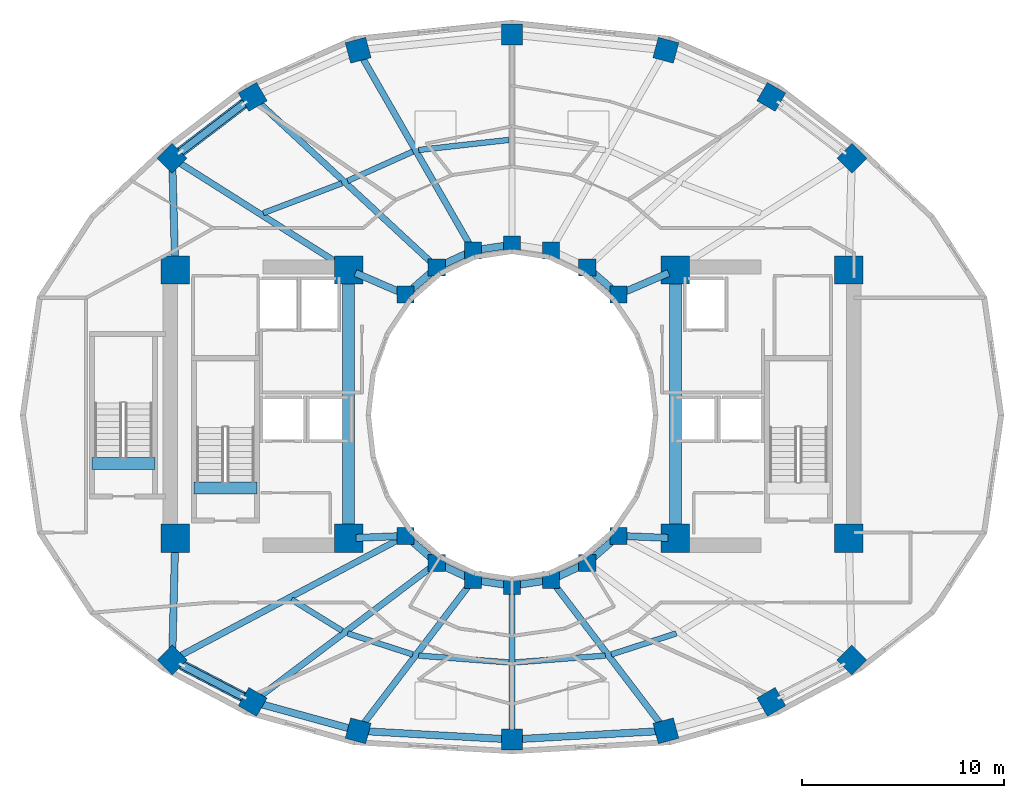
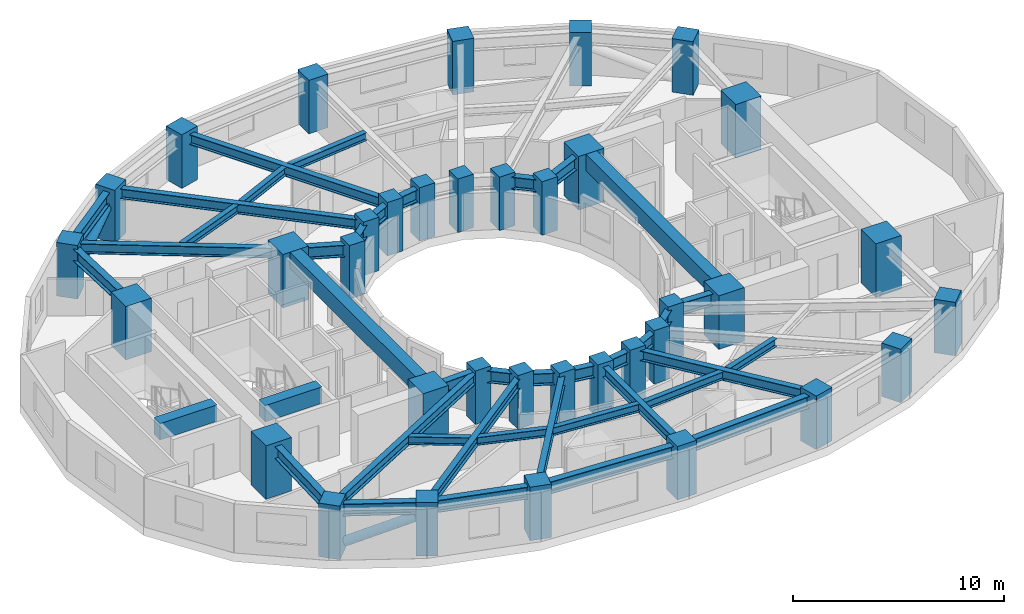
# One storey, part 1 of 9: 41 beams, 36 columns, 2 members.
"""IFC4 building model written with IfcOpenShell, lengths in metres."""

from ifc_helpers import new_model, si_unit, direction, frame, origin, origin_2d, place, context, subcontext, project, spatial, rectangle, hollow_circle, i_section, extrude, material, material_profile, profile_set, type_object, element, save


model = new_model("IFC4")

# Units and contexts
model_context = context("Model", 3, precision=1e-05, world=origin(), true_north=direction((0.0, 1.0)))
body_context = subcontext(model_context, "Body", "Model", "MODEL_VIEW")
ifc_project = project(units=[si_unit("LENGTHUNIT", "METRE"), si_unit("AREAUNIT", "SQUARE_METRE"), si_unit("VOLUMEUNIT", "CUBIC_METRE"), si_unit("PLANEANGLEUNIT", "RADIAN"), si_unit("MASSUNIT", "GRAM", prefix="KILO")], contexts=[model_context])

# Site, building, storey
site_placement = place(None, origin())
site = spatial("IfcSite", under=ifc_project, at=site_placement, CompositionType="ELEMENT")
building_placement = place(site_placement, origin())
building = spatial("IfcBuilding", under=site, at=building_placement, Name="Solvane Sanctuary Tower", CompositionType="ELEMENT")
storey_placement = place(building_placement, frame((0.0, 0.0, 113.5)))
storey = spatial("IfcBuildingStorey", under=building, at=storey_placement, Name="L34", CompositionType="ELEMENT", Elevation=113.5)

# Columns
ifc_material_1 = material(Name="Concrete C70/85", Category="concrete")
ifc_material_profile_1 = material_profile(ifc_material_1, rectangle(XDim=1.39990234375, YDim=1.39990234375, at=origin_2d()), Name="RC1400X1400")
ifc_profile_set_1 = profile_set([ifc_material_profile_1], Name="Concrete C70/85")
column_type_1 = type_object("IfcColumnType", Name="Column C-POD-INT RC1400X1400", PredefinedType="COLUMN", material=ifc_profile_set_1)
for number, where, z_axis, x_axis, name in (
    (1, (15.300048828125, 16.89990234375, 0.0), (0.0, 0.0, 1.0), (1.0, 0.0, 0.0), "L34 Core Corner Column CW1"),
    (2, (23.89990234375, 16.89990234375, 0.0), (0.0, 0.0, 1.0), (1.0, 0.0, 0.0), "L34 Core Corner Column CW2"),
    (3, (23.89990234375, 30.199951171875, 0.0), (0.0, 0.0, 1.0), (1.0, 0.0, 0.0), "L34 Core Corner Column CW3"),
    (4, (15.300048828125, 30.199951171875, 0.0), (0.0, 0.0, 1.0), (1.0, 0.0, 0.0), "L34 Core Corner Column CW4"),
    (5, (40.10009765625, 16.89990234375, 0.0), (0.0, 0.0, 1.0), (1.0, 0.0, 0.0), "L34 Core Corner Column CE1"),
    (6, (48.699951171875, 16.89990234375, 0.0), (0.0, 0.0, 1.0), (1.0, 0.0, 0.0), "L34 Core Corner Column CE2"),
    (7, (48.699951171875, 30.199951171875, 0.0), (0.0, 0.0, 1.0), (1.0, 0.0, 0.0), "L34 Core Corner Column CE3"),
    (8, (40.10009765625, 30.199951171875, 0.0), (0.0, 0.0, 1.0), (1.0, 0.0, 0.0), "L34 Core Corner Column CE4"),
):
    element("IfcColumn", number, at=place(storey_placement, frame(where, z_axis=z_axis, x_axis=x_axis)), inside=storey, type_object=column_type_1, Name=name, PredefinedType="COLUMN", context=body_context, shape_type="SweptSolid", body=[
        extrude(rectangle(XDim=1.39990234375, YDim=1.39990234375, at=origin_2d()), origin(), (0.0, 0.0, 1.0), 3.10009765625),
    ])
ifc_material_2 = material(Name="Concrete C60/75", Category="concrete")
ifc_material_profile_2 = material_profile(ifc_material_2, rectangle(XDim=0.85009765625, YDim=0.85009765625, at=origin_2d()), Name="RC850X850")
ifc_profile_set_2 = profile_set([ifc_material_profile_2], Name="Concrete C60/75")
column_type_2 = type_object("IfcColumnType", Name="Column C-RING-Z2 RC850X850", PredefinedType="COLUMN", material=ifc_profile_set_2)
for number, where, z_axis, x_axis, name in (
    (9, (37.27490234375, 28.982177734375, 0.0), (0.0, 0.0, 1.0), (1.0, 0.0, 0.0), "L34 Inner Light-Well Ring Column IC01"),
    (10, (35.72998046875, 30.32666015625, 0.0), (0.0, 0.0, 1.0), (1.0, 0.0, 0.0), "L34 Inner Light-Well Ring Column IC02"),
    (11, (33.930908203125, 31.171630859375, 0.0), (0.0, 0.0, 1.0), (1.0, 0.0, 0.0), "L34 Inner Light-Well Ring Column IC03"),
    (12, (32.0, 31.4599609375, 0.0), (0.0, 0.0, 1.0), (1.0, 0.0, 0.0), "L34 Inner Light-Well Ring Column IC04"),
    (13, (30.069091796875, 31.171630859375, 0.0), (0.0, 0.0, 1.0), (1.0, 0.0, 0.0), "L34 Inner Light-Well Ring Column IC05"),
    (14, (28.27001953125, 30.32666015625, 0.0), (0.0, 0.0, 1.0), (1.0, 0.0, 0.0), "L34 Inner Light-Well Ring Column IC06"),
    (15, (26.72509765625, 28.982177734375, 0.0), (0.0, 0.0, 1.0), (1.0, 0.0, 0.0), "L34 Inner Light-Well Ring Column IC07"),
    (16, (26.72509765625, 17.017822265625, 0.0), (0.0, 0.0, 1.0), (1.0, 0.0, 0.0), "L34 Inner Light-Well Ring Column IC08"),
    (17, (28.27001953125, 15.67333984375, 0.0), (0.0, 0.0, 1.0), (1.0, 0.0, 0.0), "L34 Inner Light-Well Ring Column IC09"),
    (18, (30.069091796875, 14.828369140625, 0.0), (0.0, 0.0, 1.0), (1.0, 0.0, 0.0), "L34 Inner Light-Well Ring Column IC10"),
    (19, (32.0, 14.5400390625, 0.0), (0.0, 0.0, 1.0), (1.0, 0.0, 0.0), "L34 Inner Light-Well Ring Column IC11"),
    (20, (33.930908203125, 14.828369140625, 0.0), (0.0, 0.0, 1.0), (1.0, 0.0, 0.0), "L34 Inner Light-Well Ring Column IC12"),
    (21, (35.72998046875, 15.67333984375, 0.0), (0.0, 0.0, 1.0), (1.0, 0.0, 0.0), "L34 Inner Light-Well Ring Column IC13"),
    (22, (37.27490234375, 17.017822265625, 0.0), (0.0, 0.0, 1.0), (1.0, 0.0, 0.0), "L34 Inner Light-Well Ring Column IC14"),
):
    element("IfcColumn", number, at=place(storey_placement, frame(where, z_axis=z_axis, x_axis=x_axis)), inside=storey, type_object=column_type_2, Name=name, PredefinedType="COLUMN", context=body_context, shape_type="SweptSolid", body=[
        extrude(rectangle(XDim=0.85009765625, YDim=0.85009765625, at=origin_2d()), origin(), (0.0, 0.0, 1.0), 3.10009765625),
    ])
ifc_material_profile_3 = material_profile(ifc_material_2, rectangle(XDim=1.050048828125, YDim=1.050048828125, at=origin_2d()), Name="RC1050X1050")
ifc_profile_set_3 = profile_set([ifc_material_profile_3], Name="Concrete C60/75")
column_type_3 = type_object("IfcColumnType", Name="Column C-TUBE-Z2 RC1050X1050", PredefinedType="COLUMN", material=ifc_profile_set_3)
for number, where, z_axis, x_axis, name in (
    (23, (48.85302734375, 35.742919921875, 0.0), (0.0, 0.0, 1.0), (0.707106781187, 0.707106781187, 0.0), "L34 Perimeter Tube Column TC01"),
    (24, (44.8583984375, 38.7861328125, 0.0), (0.0, 0.0, 1.0), (0.5, 0.866025403784, 0.0), "L34 Perimeter Tube Column TC02"),
    (25, (39.62939453125, 41.10009765625, 0.0), (0.0, 0.0, 1.0), (0.258819045103, 0.965925826289, 0.0), "L34 Perimeter Tube Column TC03"),
    (26, (32.0, 41.8798828125, 0.0), (0.0, 0.0, 1.0), (0.0, 1.0, 0.0), "L34 Perimeter Tube Column TC04"),
    (27, (24.37060546875, 41.10009765625, 0.0), (0.0, 0.0, 1.0), (-0.258819045103, 0.965925826289, 0.0), "L34 Perimeter Tube Column TC05"),
    (28, (19.1416015625, 38.7861328125, 0.0), (0.0, 0.0, 1.0), (-0.5, 0.866025403784, 0.0), "L34 Perimeter Tube Column TC06"),
    (29, (15.14697265625, 35.742919921875, 0.0), (0.0, 0.0, 1.0), (-0.707106781187, 0.707106781187, 0.0), "L34 Perimeter Tube Column TC07"),
    (30, (15.14697265625, 10.86181640625, 0.0), (0.0, 0.0, 1.0), (-0.707106781187, -0.707106781187, 0.0), "L34 Perimeter Tube Column TC08"),
    (31, (19.1416015625, 8.782470703125, 0.0), (0.0, 0.0, 1.0), (-0.5, -0.866025403784, 0.0), "L34 Perimeter Tube Column TC09"),
    (32, (24.37060546875, 7.347900390625, 0.0), (0.0, 0.0, 1.0), (-0.258819045103, -0.965925826289, 0.0), "L34 Perimeter Tube Column TC10"),
    (33, (32.0, 6.919921875, 0.0), (0.0, 0.0, 1.0), (0.0, -1.0, 0.0), "L34 Perimeter Tube Column TC11"),
    (34, (39.62939453125, 7.347900390625, 0.0), (0.0, 0.0, 1.0), (0.258819045103, -0.965925826289, 0.0), "L34 Perimeter Tube Column TC12"),
    (35, (44.8583984375, 8.782470703125, 0.0), (0.0, 0.0, 1.0), (0.5, -0.866025403784, 0.0), "L34 Perimeter Tube Column TC13"),
    (36, (48.85302734375, 10.86181640625, 0.0), (0.0, 0.0, 1.0), (0.707106781187, -0.707106781187, 0.0), "L34 Perimeter Tube Column TC14"),
):
    element("IfcColumn", number, at=place(storey_placement, frame(where, z_axis=z_axis, x_axis=x_axis)), inside=storey, type_object=column_type_3, Name=name, PredefinedType="COLUMN", context=body_context, shape_type="SweptSolid", body=[
        extrude(rectangle(XDim=1.050048828125, YDim=1.050048828125, at=origin_2d()), origin(), (0.0, 0.0, 1.0), 3.10009765625),
    ])

# Beams
ifc_material_profile_4 = material_profile(ifc_material_1, rectangle(XDim=0.60009765625, YDim=0.949951171875, at=origin_2d()), Name="RC600X950")
ifc_profile_set_4 = profile_set([ifc_material_profile_4], Name="Concrete C70/85")
beam_type_1 = type_object("IfcBeamType", Name="Beam B-COUPLE RC600X950", PredefinedType="LINTEL", material=ifc_profile_set_4)
for number, where, z_axis, x_axis, name in (
    (37, (23.89990234375, 17.35009765625, 2.625), (0.0, 1.0, 0.0), (-1.0, 0.0, 0.0), "L34 West Core Coupling Lintel"),
    (38, (40.10009765625, 17.35009765625, 2.625), (0.0, 1.0, 0.0), (-1.0, 0.0, 0.0), "L34 East Core Coupling Lintel"),
):
    element("IfcBeam", number, at=place(storey_placement, frame(where, z_axis=z_axis, x_axis=x_axis)), inside=storey, type_object=beam_type_1, Name=name, PredefinedType="LINTEL", context=body_context, shape_type="SweptSolid", body=[
        extrude(rectangle(XDim=0.60009765625, YDim=0.949951171875, at=origin_2d()), origin(), (0.0, 0.0, 1.0), 12.39990234375),
    ])
for number, where, z_axis, x_axis, name in (
    (39, (16.22998046875, 19.399169921875, 2.625), (1.0, 0.0, 0.0), (0.0, 1.0, 0.0), "L34 ST-1 Stair Floor Landing Trimmer"),
    (40, (11.169921875, 20.59912109375, 2.625), (1.0, 0.0, 0.0), (0.0, 1.0, 0.0), "L34 ST-3 Stair Floor Landing Trimmer"),
):
    element("IfcBeam", number, at=place(storey_placement, frame(where, z_axis=z_axis, x_axis=x_axis)), inside=storey, type_object=beam_type_1, Name=name, PredefinedType="LINTEL", context=body_context, shape_type="SweptSolid", body=[
        extrude(rectangle(XDim=0.60009765625, YDim=0.949951171875, at=origin_2d()), origin(), (0.0, 0.0, 1.0), 3.1201171875),
    ])
ifc_material_3 = material(Name="Steel ASTM A992 Grade 50", Category="steel")
ifc_material_profile_5 = material_profile(ifc_material_3, i_section(OverallWidth=0.31494140625, OverallDepth=0.575927734375, WebThickness=0.01513671875, FlangeThickness=0.0244140625, FilletRadius=0.014892578125, at=origin_2d()), Name="W21X122")
ifc_profile_set_5 = profile_set([ifc_material_profile_5], Name="Steel ASTM A992 Grade 50")
beam_type_2 = type_object("IfcBeamType", Name="Beam B-RAD-Z2 W21X122", PredefinedType="BEAM", material=ifc_profile_set_5)
beam_1_placement = place(storey_placement, frame((29.9296875, 31.41455078125, 2.590087890625), z_axis=(-0.497792245326, 0.8672963049, 0.0), x_axis=(-0.8672963049, -0.497792245326, 0.0)))
element("IfcBeam", 41, at=beam_1_placement, inside=storey, type_object=beam_type_2, Name="L34 Radial Composite Floor Beam 05", PredefinedType="BEAM", context=body_context, shape_type="SweptSolid", body=[
    extrude(i_section(OverallWidth=0.31494140625, OverallDepth=0.575927734375, WebThickness=0.01513671875, FlangeThickness=0.0244140625, FilletRadius=0.014892578125, at=origin_2d()), origin(), (0.0, 0.0, 1.0), 10.887451171875),
])
beam_2_placement = place(storey_placement, frame((28.064697265625, 30.516845703125, 2.590087890625), z_axis=(-0.733453775248, 0.679739332078, 0.0), x_axis=(-0.679739332078, -0.733453775248, 0.0)))
element("IfcBeam", 42, at=beam_2_placement, inside=storey, type_object=beam_type_2, Name="L34 Radial Composite Floor Beam 06", PredefinedType="BEAM", context=body_context, shape_type="SweptSolid", body=[
    extrude(i_section(OverallWidth=0.31494140625, OverallDepth=0.575927734375, WebThickness=0.01513671875, FlangeThickness=0.0244140625, FilletRadius=0.014892578125, at=origin_2d()), origin(), (0.0, 0.0, 1.0), 11.885498046875),
])
beam_3_placement = place(storey_placement, frame((23.595947265625, 30.392578125, 2.590087890625), z_axis=(-0.844853889678, 0.534997107558, 0.0), x_axis=(-0.534997107558, -0.844853889678, 0.0)))
element("IfcBeam", 43, at=beam_3_placement, inside=storey, type_object=beam_type_2, Name="L34 Radial Composite Floor Beam 07", PredefinedType="BEAM", context=body_context, shape_type="SweptSolid", body=[
    extrude(i_section(OverallWidth=0.31494140625, OverallDepth=0.575927734375, WebThickness=0.01513671875, FlangeThickness=0.0244140625, FilletRadius=0.014892578125, at=origin_2d()), origin(), (0.0, 0.0, 1.0), 9.720458984375),
])
beam_4_placement = place(storey_placement, frame((26.477783203125, 16.886474609375, 2.590087890625), z_axis=(-0.882951984843, -0.469463302572, 0.0), x_axis=(0.469463302572, -0.882951984843, 0.0)))
element("IfcBeam", 44, at=beam_4_placement, inside=storey, type_object=beam_type_2, Name="L34 Radial Composite Floor Beam 08", PredefinedType="BEAM", context=body_context, shape_type="SweptSolid", body=[
    extrude(i_section(OverallWidth=0.31494140625, OverallDepth=0.575927734375, WebThickness=0.01513671875, FlangeThickness=0.0244140625, FilletRadius=0.014892578125, at=origin_2d()), origin(), (0.0, 0.0, 1.0), 12.552734375),
])
beam_5_placement = place(storey_placement, frame((28.04638671875, 15.504638671875, 2.590087890625), z_axis=(-0.798116040134, -0.602503764703, 0.0), x_axis=(0.602503764703, -0.798116040134, 0.0)))
element("IfcBeam", 45, at=beam_5_placement, inside=storey, type_object=beam_type_2, Name="L34 Radial Composite Floor Beam 09", PredefinedType="BEAM", context=body_context, shape_type="SweptSolid", body=[
    extrude(i_section(OverallWidth=0.31494140625, OverallDepth=0.575927734375, WebThickness=0.01513671875, FlangeThickness=0.0244140625, FilletRadius=0.014892578125, at=origin_2d()), origin(), (0.0, 0.0, 1.0), 10.876953125),
])
beam_6_placement = place(storey_placement, frame((29.8994140625, 14.605712890625, 2.590087890625), z_axis=(-0.605972515369, -0.795485581653, 0.0), x_axis=(0.795485581653, -0.605972515369, 0.0)))
element("IfcBeam", 46, at=beam_6_placement, inside=storey, type_object=beam_type_2, Name="L34 Radial Composite Floor Beam 10", PredefinedType="BEAM", context=body_context, shape_type="SweptSolid", body=[
    extrude(i_section(OverallWidth=0.31494140625, OverallDepth=0.575927734375, WebThickness=0.01513671875, FlangeThickness=0.0244140625, FilletRadius=0.014892578125, at=origin_2d()), origin(), (0.0, 0.0, 1.0), 8.84375),
])
beam_7_placement = place(storey_placement, frame((32.0, 14.260009765625, 2.590087890625), z_axis=(0.0, -1.0, 0.0), x_axis=(1.0, 0.0, 0.0)))
element("IfcBeam", 47, at=beam_7_placement, inside=storey, type_object=beam_type_2, Name="L34 Radial Composite Floor Beam 11", PredefinedType="BEAM", context=body_context, shape_type="SweptSolid", body=[
    extrude(i_section(OverallWidth=0.31494140625, OverallDepth=0.575927734375, WebThickness=0.01513671875, FlangeThickness=0.0244140625, FilletRadius=0.014892578125, at=origin_2d()), origin(), (0.0, 0.0, 1.0), 7.06005859375),
])
beam_8_placement = place(storey_placement, frame((34.1005859375, 14.605712890625, 2.590087890625), z_axis=(0.605972515369, -0.795485581653, 0.0), x_axis=(0.795485581653, 0.605972515369, 0.0)))
element("IfcBeam", 48, at=beam_8_placement, inside=storey, type_object=beam_type_2, Name="L34 Radial Composite Floor Beam 12", PredefinedType="BEAM", context=body_context, shape_type="SweptSolid", body=[
    extrude(i_section(OverallWidth=0.31494140625, OverallDepth=0.575927734375, WebThickness=0.01513671875, FlangeThickness=0.0244140625, FilletRadius=0.014892578125, at=origin_2d()), origin(), (0.0, 0.0, 1.0), 8.84375),
])
ifc_material_profile_6 = material_profile(ifc_material_3, i_section(OverallWidth=0.35498046875, OverallDepth=0.695068359375, WebThickness=0.015380859375, FlangeThickness=0.02490234375, FilletRadius=0.01806640625, at=origin_2d()), Name="W27X146")
ifc_profile_set_6 = profile_set([ifc_material_profile_6], Name="Steel ASTM A992 Grade 50")
beam_type_3 = type_object("IfcBeamType", Name="Beam B-RING-IN1 W27X146", PredefinedType="BEAM", material=ifc_profile_set_6)
beam_9_placement = place(storey_placement, frame((24.230712890625, 30.0576171875, 2.530517578125), z_axis=(0.918261456479, -0.3959746173, 0.0), x_axis=(0.3959746173, 0.918261456479, 0.0)))
element("IfcBeam", 49, at=beam_9_placement, inside=storey, type_object=beam_type_3, Name="L34 Inner Light-Well Ring Beam CW3-IC07", PredefinedType="BEAM", context=body_context, shape_type="SweptSolid", body=[
    extrude(i_section(OverallWidth=0.35498046875, OverallDepth=0.695068359375, WebThickness=0.015380859375, FlangeThickness=0.02490234375, FilletRadius=0.01806640625, at=origin_2d()), origin(), (0.0, 0.0, 1.0), 2.3212890625),
])
beam_10_placement = place(storey_placement, frame((27.02294921875, 29.241455078125, 2.530517578125), z_axis=(0.754317177099, 0.656510164684, 0.0), x_axis=(-0.656510164684, 0.754317177099, 0.0)))
element("IfcBeam", 50, at=beam_10_placement, inside=storey, type_object=beam_type_3, Name="L34 Inner Light-Well Ring Beam IC07-IC06", PredefinedType="BEAM", context=body_context, shape_type="SweptSolid", body=[
    extrude(i_section(OverallWidth=0.35498046875, OverallDepth=0.695068359375, WebThickness=0.015380859375, FlangeThickness=0.02490234375, FilletRadius=0.01806640625, at=origin_2d()), origin(), (0.0, 0.0, 1.0), 1.258056640625),
])
beam_11_placement = place(storey_placement, frame((28.62744140625, 30.494384765625, 2.530517578125), z_axis=(0.905044882818, 0.425316070804, 0.0), x_axis=(-0.425316070804, 0.905044882818, 0.0)))
element("IfcBeam", 51, at=beam_11_placement, inside=storey, type_object=beam_type_3, Name="L34 Inner Light-Well Ring Beam IC06-IC05", PredefinedType="BEAM", context=body_context, shape_type="SweptSolid", body=[
    extrude(i_section(OverallWidth=0.35498046875, OverallDepth=0.695068359375, WebThickness=0.015380859375, FlangeThickness=0.02490234375, FilletRadius=0.01806640625, at=origin_2d()), origin(), (0.0, 0.0, 1.0), 1.197998046875),
])
beam_12_placement = place(storey_placement, frame((30.4599609375, 31.22998046875, 2.530517578125), z_axis=(0.989034751611, 0.147682971619, 0.0), x_axis=(-0.147682971619, 0.989034751611, 0.0)))
element("IfcBeam", 52, at=beam_12_placement, inside=storey, type_object=beam_type_3, Name="L34 Inner Light-Well Ring Beam IC05-IC04", PredefinedType="BEAM", context=body_context, shape_type="SweptSolid", body=[
    extrude(i_section(OverallWidth=0.35498046875, OverallDepth=0.695068359375, WebThickness=0.015380859375, FlangeThickness=0.02490234375, FilletRadius=0.01806640625, at=origin_2d()), origin(), (0.0, 0.0, 1.0), 1.162109375),
])
beam_13_placement = place(storey_placement, frame((36.028076171875, 30.0673828125, 2.530517578125), z_axis=(0.754317177099, -0.656510164684, 0.0), x_axis=(0.656510164684, 0.754317177099, 0.0)))
element("IfcBeam", 53, at=beam_13_placement, inside=storey, type_object=beam_type_3, Name="L34 Inner Light-Well Ring Beam IC02-IC01", PredefinedType="BEAM", context=body_context, shape_type="SweptSolid", body=[
    extrude(i_section(OverallWidth=0.35498046875, OverallDepth=0.695068359375, WebThickness=0.015380859375, FlangeThickness=0.02490234375, FilletRadius=0.01806640625, at=origin_2d()), origin(), (0.0, 0.0, 1.0), 1.258056640625),
])
beam_14_placement = place(storey_placement, frame((37.6376953125, 29.138427734375, 2.530517578125), z_axis=(0.918261456479, 0.3959746173, 0.0), x_axis=(-0.3959746173, 0.918261456479, 0.0)))
element("IfcBeam", 54, at=beam_14_placement, inside=storey, type_object=beam_type_3, Name="L34 Inner Light-Well Ring Beam IC01-CE4", PredefinedType="BEAM", context=body_context, shape_type="SweptSolid", body=[
    extrude(i_section(OverallWidth=0.35498046875, OverallDepth=0.695068359375, WebThickness=0.015380859375, FlangeThickness=0.02490234375, FilletRadius=0.01806640625, at=origin_2d()), origin(), (0.0, 0.0, 1.0), 2.3212890625),
])
beam_15_placement = place(storey_placement, frame((24.259765625, 16.9150390625, 2.530517578125), z_axis=(0.999130007788, 0.041704047018, 0.0), x_axis=(-0.041704047018, 0.999130007788, 0.0)))
element("IfcBeam", 55, at=beam_15_placement, inside=storey, type_object=beam_type_3, Name="L34 Inner Light-Well Ring Beam CW2-IC08", PredefinedType="BEAM", context=body_context, shape_type="SweptSolid", body=[
    extrude(i_section(OverallWidth=0.35498046875, OverallDepth=0.695068359375, WebThickness=0.015380859375, FlangeThickness=0.02490234375, FilletRadius=0.01806640625, at=origin_2d()), origin(), (0.0, 0.0, 1.0), 2.072265625),
])
beam_16_placement = place(storey_placement, frame((27.02294921875, 16.758544921875, 2.530517578125), z_axis=(0.754317177099, -0.656510164684, 0.0), x_axis=(0.656510164684, 0.754317177099, 0.0)))
element("IfcBeam", 56, at=beam_16_placement, inside=storey, type_object=beam_type_3, Name="L34 Inner Light-Well Ring Beam IC08-IC09", PredefinedType="BEAM", context=body_context, shape_type="SweptSolid", body=[
    extrude(i_section(OverallWidth=0.35498046875, OverallDepth=0.695068359375, WebThickness=0.015380859375, FlangeThickness=0.02490234375, FilletRadius=0.01806640625, at=origin_2d()), origin(), (0.0, 0.0, 1.0), 1.258056640625),
])
beam_17_placement = place(storey_placement, frame((28.62744140625, 15.505615234375, 2.530517578125), z_axis=(0.905044882818, -0.425316070804, 0.0), x_axis=(0.425316070804, 0.905044882818, 0.0)))
element("IfcBeam", 57, at=beam_17_placement, inside=storey, type_object=beam_type_3, Name="L34 Inner Light-Well Ring Beam IC09-IC10", PredefinedType="BEAM", context=body_context, shape_type="SweptSolid", body=[
    extrude(i_section(OverallWidth=0.35498046875, OverallDepth=0.695068359375, WebThickness=0.015380859375, FlangeThickness=0.02490234375, FilletRadius=0.01806640625, at=origin_2d()), origin(), (0.0, 0.0, 1.0), 1.197998046875),
])
for number, where, z_axis, x_axis, name in (
    (58, (30.4599609375, 14.77001953125, 2.530517578125), (0.989034751611, -0.147682971619, 0.0), (0.147682971619, 0.989034751611, 0.0), "L34 Inner Light-Well Ring Beam IC10-IC11"),
    (59, (32.390625, 14.598388671875, 2.530517578125), (0.989034751611, 0.147682971619, 0.0), (-0.147682971619, 0.989034751611, 0.0), "L34 Inner Light-Well Ring Beam IC11-IC12"),
):
    element("IfcBeam", number, at=place(storey_placement, frame(where, z_axis=z_axis, x_axis=x_axis)), inside=storey, type_object=beam_type_3, Name=name, PredefinedType="BEAM", context=body_context, shape_type="SweptSolid", body=[
        extrude(i_section(OverallWidth=0.35498046875, OverallDepth=0.695068359375, WebThickness=0.015380859375, FlangeThickness=0.02490234375, FilletRadius=0.01806640625, at=origin_2d()), origin(), (0.0, 0.0, 1.0), 1.162109375),
    ])
beam_18_placement = place(storey_placement, frame((34.288330078125, 14.99609375, 2.530517578125), z_axis=(0.905044882818, 0.425316070804, 0.0), x_axis=(-0.425316070804, 0.905044882818, 0.0)))
element("IfcBeam", 60, at=beam_18_placement, inside=storey, type_object=beam_type_3, Name="L34 Inner Light-Well Ring Beam IC12-IC13", PredefinedType="BEAM", context=body_context, shape_type="SweptSolid", body=[
    extrude(i_section(OverallWidth=0.35498046875, OverallDepth=0.695068359375, WebThickness=0.015380859375, FlangeThickness=0.02490234375, FilletRadius=0.01806640625, at=origin_2d()), origin(), (0.0, 0.0, 1.0), 1.197998046875),
])
beam_19_placement = place(storey_placement, frame((36.028076171875, 15.9326171875, 2.530517578125), z_axis=(0.754317177099, 0.656510164684, 0.0), x_axis=(-0.656510164684, 0.754317177099, 0.0)))
element("IfcBeam", 61, at=beam_19_placement, inside=storey, type_object=beam_type_3, Name="L34 Inner Light-Well Ring Beam IC13-IC14", PredefinedType="BEAM", context=body_context, shape_type="SweptSolid", body=[
    extrude(i_section(OverallWidth=0.35498046875, OverallDepth=0.695068359375, WebThickness=0.015380859375, FlangeThickness=0.02490234375, FilletRadius=0.01806640625, at=origin_2d()), origin(), (0.0, 0.0, 1.0), 1.258056640625),
])
beam_20_placement = place(storey_placement, frame((37.669677734375, 17.00146484375, 2.530517578125), z_axis=(0.999130007788, -0.041704047018, 0.0), x_axis=(0.041704047018, 0.999130007788, 0.0)))
element("IfcBeam", 62, at=beam_20_placement, inside=storey, type_object=beam_type_3, Name="L34 Inner Light-Well Ring Beam IC14-CE1", PredefinedType="BEAM", context=body_context, shape_type="SweptSolid", body=[
    extrude(i_section(OverallWidth=0.35498046875, OverallDepth=0.695068359375, WebThickness=0.015380859375, FlangeThickness=0.02490234375, FilletRadius=0.01806640625, at=origin_2d()), origin(), (0.0, 0.0, 1.0), 2.072265625),
])
ifc_material_profile_7 = material_profile(ifc_material_3, i_section(OverallWidth=0.280029296875, OverallDepth=0.462890625, WebThickness=0.0107421875, FlangeThickness=0.017333984375, FilletRadius=0.013916015625, at=origin_2d()), Name="W18X76")
ifc_profile_set_7 = profile_set([ifc_material_profile_7], Name="Steel ASTM A992 Grade 50")
beam_type_4 = type_object("IfcBeamType", Name="Beam B-SEC-JOIST W18X76", PredefinedType="JOIST", material=ifc_profile_set_7)
beam_21_placement = place(storey_placement, frame((19.666015625, 33.025390625, 2.646484375), z_axis=(0.93509327646, 0.354401699091, 0.0), x_axis=(-0.354401699091, 0.93509327646, 0.0)))
element("IfcBeam", 63, at=beam_21_placement, inside=storey, type_object=beam_type_4, Name="L34 Secondary Circumferential Joist 07-06", PredefinedType="JOIST", context=body_context, shape_type="SweptSolid", body=[
    extrude(i_section(OverallWidth=0.280029296875, OverallDepth=0.462890625, WebThickness=0.0107421875, FlangeThickness=0.017333984375, FilletRadius=0.013916015625, at=origin_2d()), origin(), (0.0, 0.0, 1.0), 4.167724609375),
])
beam_22_placement = place(storey_placement, frame((23.844970703125, 34.618896484375, 2.646484375), z_axis=(0.912083673068, 0.410004113787, 0.0), x_axis=(-0.410004113787, 0.912083673068, 0.0)))
element("IfcBeam", 64, at=beam_22_placement, inside=storey, type_object=beam_type_4, Name="L34 Secondary Circumferential Joist 06-05", PredefinedType="JOIST", context=body_context, shape_type="SweptSolid", body=[
    extrude(i_section(OverallWidth=0.280029296875, OverallDepth=0.462890625, WebThickness=0.0107421875, FlangeThickness=0.017333984375, FilletRadius=0.013916015625, at=origin_2d()), origin(), (0.0, 0.0, 1.0), 3.5478515625),
])
beam_23_placement = place(storey_placement, frame((27.37158203125, 36.15283203125, 2.646484375), z_axis=(0.993814804173, 0.111050146357, 0.0), x_axis=(-0.111050146357, 0.993814804173, 0.0)))
element("IfcBeam", 65, at=beam_23_placement, inside=storey, type_object=beam_type_4, Name="L34 Secondary Circumferential Joist 05-04", PredefinedType="JOIST", context=body_context, shape_type="SweptSolid", body=[
    extrude(i_section(OverallWidth=0.280029296875, OverallDepth=0.462890625, WebThickness=0.0107421875, FlangeThickness=0.017333984375, FilletRadius=0.013916015625, at=origin_2d()), origin(), (0.0, 0.0, 1.0), 4.504638671875),
])
beam_24_placement = place(storey_placement, frame((21.065673828125, 13.859619140625, 2.646484375), z_axis=(0.85065981691, -0.525716535687, 0.0), x_axis=(0.525716535687, 0.85065981691, 0.0)))
element("IfcBeam", 66, at=beam_24_placement, inside=storey, type_object=beam_type_4, Name="L34 Secondary Circumferential Joist 08-09", PredefinedType="JOIST", context=body_context, shape_type="SweptSolid", body=[
    extrude(i_section(OverallWidth=0.280029296875, OverallDepth=0.462890625, WebThickness=0.0107421875, FlangeThickness=0.017333984375, FilletRadius=0.013916015625, at=origin_2d()), origin(), (0.0, 0.0, 1.0), 2.951171875),
])
beam_25_placement = place(storey_placement, frame((23.850830078125, 12.180908203125, 2.646484375), z_axis=(0.951216534175, -0.308524075416, 0.0), x_axis=(0.308524075416, 0.951216534175, 0.0)))
element("IfcBeam", 67, at=beam_25_placement, inside=storey, type_object=beam_type_4, Name="L34 Secondary Circumferential Joist 09-10", PredefinedType="JOIST", context=body_context, shape_type="SweptSolid", body=[
    extrude(i_section(OverallWidth=0.280029296875, OverallDepth=0.462890625, WebThickness=0.0107421875, FlangeThickness=0.017333984375, FilletRadius=0.013916015625, at=origin_2d()), origin(), (0.0, 0.0, 1.0), 3.38916015625),
])
for number, where, z_axis, x_axis, name in (
    (68, (27.3720703125, 11.07666015625, 2.646484375), (0.997207316227, -0.074683120339, 0.0), (0.074683120339, 0.997207316227, 0.0), "L34 Secondary Circumferential Joist 10-11"),
    (69, (32.152099609375, 10.741455078125, 2.646484375), (0.997207316227, 0.074683120339, 0.0), (-0.074683120339, 0.997207316227, 0.0), "L34 Secondary Circumferential Joist 11-12"),
):
    element("IfcBeam", number, at=place(storey_placement, frame(where, z_axis=z_axis, x_axis=x_axis)), inside=storey, type_object=beam_type_4, Name=name, PredefinedType="JOIST", context=body_context, shape_type="SweptSolid", body=[
        extrude(i_section(OverallWidth=0.280029296875, OverallDepth=0.462890625, WebThickness=0.0107421875, FlangeThickness=0.017333984375, FilletRadius=0.013916015625, at=origin_2d()), origin(), (0.0, 0.0, 1.0), 4.48828125),
    ])
beam_26_placement = place(storey_placement, frame((36.92529296875, 11.13525390625, 2.646484375), z_axis=(0.951216534175, 0.308524075416, 0.0), x_axis=(-0.308524075416, 0.951216534175, 0.0)))
element("IfcBeam", 70, at=beam_26_placement, inside=storey, type_object=beam_type_4, Name="L34 Secondary Circumferential Joist 12-13", PredefinedType="JOIST", context=body_context, shape_type="SweptSolid", body=[
    extrude(i_section(OverallWidth=0.280029296875, OverallDepth=0.462890625, WebThickness=0.0107421875, FlangeThickness=0.017333984375, FilletRadius=0.013916015625, at=origin_2d()), origin(), (0.0, 0.0, 1.0), 3.38916015625),
])
ifc_material_profile_8 = material_profile(ifc_material_3, i_section(OverallWidth=0.35791015625, OverallDepth=0.7060546875, WebThickness=0.018310546875, FlangeThickness=0.0302734375, FilletRadius=0.01806640625, at=origin_2d()), Name="W27X178")
ifc_profile_set_8 = profile_set([ifc_material_profile_8], Name="Steel ASTM A992 Grade 50")
beam_type_5 = type_object("IfcBeamType", Name="Beam B-SPAND-Z2 W27X178", PredefinedType="SPANDREL", material=ifc_profile_set_8)
beam_27_placement = place(storey_placement, frame((15.292236328125, 30.47998046875, 2.52490234375), z_axis=(-0.027574028772, 0.999619764179, 0.0), x_axis=(-0.999619764179, -0.027574028772, 0.0)))
element("IfcBeam", 71, at=beam_27_placement, inside=storey, type_object=beam_type_5, Name="L34 Perimeter Spandrel Beam CW4-TC07", PredefinedType="SPANDREL", context=body_context, shape_type="SweptSolid", body=[
    extrude(i_section(OverallWidth=0.35791015625, OverallDepth=0.7060546875, WebThickness=0.018310546875, FlangeThickness=0.0302734375, FilletRadius=0.01806640625, at=origin_2d()), origin(), (0.0, 0.0, 1.0), 4.98486328125),
])
beam_28_placement = place(storey_placement, frame((15.36962890625, 35.91259765625, 2.52490234375), z_axis=(0.795473167932, 0.605988811036, 0.0), x_axis=(-0.605988811036, 0.795473167932, 0.0)))
element("IfcBeam", 72, at=beam_28_placement, inside=storey, type_object=beam_type_5, Name="L34 Perimeter Spandrel Beam TC07-TC06", PredefinedType="SPANDREL", context=body_context, shape_type="SweptSolid", body=[
    extrude(i_section(OverallWidth=0.35791015625, OverallDepth=0.7060546875, WebThickness=0.018310546875, FlangeThickness=0.0302734375, FilletRadius=0.01806640625, at=origin_2d()), origin(), (0.0, 0.0, 1.0), 4.4619140625),
])
beam_29_placement = place(storey_placement, frame((15.29296875, 16.6201171875, 2.52490234375), z_axis=(-0.025349487585, -0.999678650107, 0.0), x_axis=(0.999678650107, -0.025349487585, 0.0)))
element("IfcBeam", 73, at=beam_29_placement, inside=storey, type_object=beam_type_5, Name="L34 Perimeter Spandrel Beam CW1-TC08", PredefinedType="SPANDREL", context=body_context, shape_type="SweptSolid", body=[
    extrude(i_section(OverallWidth=0.35791015625, OverallDepth=0.7060546875, WebThickness=0.018310546875, FlangeThickness=0.0302734375, FilletRadius=0.01806640625, at=origin_2d()), origin(), (0.0, 0.0, 1.0), 5.47998046875),
])
beam_30_placement = place(storey_placement, frame((15.3955078125, 10.732666015625, 2.52490234375), z_axis=(0.887014995188, -0.461740618002, 0.0), x_axis=(0.461740618002, 0.887014995188, 0.0)))
element("IfcBeam", 74, at=beam_30_placement, inside=storey, type_object=beam_type_5, Name="L34 Perimeter Spandrel Beam TC08-TC09", PredefinedType="SPANDREL", context=body_context, shape_type="SweptSolid", body=[
    extrude(i_section(OverallWidth=0.35791015625, OverallDepth=0.7060546875, WebThickness=0.018310546875, FlangeThickness=0.0302734375, FilletRadius=0.01806640625, at=origin_2d()), origin(), (0.0, 0.0, 1.0), 3.943359375),
])
beam_31_placement = place(storey_placement, frame((19.41162109375, 8.70849609375, 2.52490234375), z_axis=(0.964367605241, -0.26456591232, 0.0), x_axis=(0.26456591232, 0.964367605241, 0.0)))
element("IfcBeam", 75, at=beam_31_placement, inside=storey, type_object=beam_type_5, Name="L34 Perimeter Spandrel Beam TC09-TC10", PredefinedType="SPANDREL", context=body_context, shape_type="SweptSolid", body=[
    extrude(i_section(OverallWidth=0.35791015625, OverallDepth=0.7060546875, WebThickness=0.018310546875, FlangeThickness=0.0302734375, FilletRadius=0.01806640625, at=origin_2d()), origin(), (0.0, 0.0, 1.0), 4.8623046875),
])
for number, where, z_axis, x_axis, name in (
    (76, (24.650146484375, 7.332275390625, 2.52490234375), (0.998431364179, -0.055989383129, 0.0), (0.055989383129, 0.998431364179, 0.0), "L34 Perimeter Spandrel Beam TC10-TC11"),
    (77, (32.279541015625, 6.935791015625, 2.52490234375), (0.998431364179, 0.055989383129, 0.0), (-0.055989383129, 0.998431364179, 0.0), "L34 Perimeter Spandrel Beam TC11-TC12"),
):
    element("IfcBeam", number, at=place(storey_placement, frame(where, z_axis=z_axis, x_axis=x_axis)), inside=storey, type_object=beam_type_5, Name=name, PredefinedType="SPANDREL", context=body_context, shape_type="SweptSolid", body=[
        extrude(i_section(OverallWidth=0.35791015625, OverallDepth=0.7060546875, WebThickness=0.018310546875, FlangeThickness=0.0302734375, FilletRadius=0.01806640625, at=origin_2d()), origin(), (0.0, 0.0, 1.0), 7.081298828125),
    ])

# Members
ifc_material_profile_9 = material_profile(ifc_material_3, hollow_circle(Radius=0.25390625, WallThickness=0.01611328125, at=origin_2d()), Name="CHS508X16")
ifc_profile_set_9 = profile_set([ifc_material_profile_9], Name="Steel ASTM A992 Grade 50")
member_type = type_object("IfcMemberType", Name="Member M-TUBE-Z2 CHS508X16", PredefinedType="BRACE", material=ifc_profile_set_9)
member_1_placement = place(storey_placement, frame((15.575927734375, 36.069580078125, 0.572509765625), z_axis=(0.749184797481, 0.570779701738, 0.336054565967), x_axis=(-0.606024564443, 0.795445929836, 0.0)))
element("IfcMember", 78, at=member_1_placement, inside=storey, type_object=member_type, Name="L34 Perimeter Braced-Tube Diagonal NW", PredefinedType="BRACE", context=body_context, shape_type="SweptSolid", body=[
    extrude(hollow_circle(Radius=0.25390625, WallThickness=0.01611328125, at=origin_2d()), origin(), (0.0, 0.0, 1.0), 4.1875),
])
member_2_placement = place(storey_placement, frame((15.6435546875, 10.603515625, 0.602783203125), z_axis=(0.824140553465, -0.429072126665, 0.369715374651), x_axis=(0.461792399626, 0.886988038052, 0.0)))
element("IfcMember", 79, at=member_2_placement, inside=storey, type_object=member_type, Name="L34 Perimeter Braced-Tube Diagonal SW", PredefinedType="BRACE", context=body_context, shape_type="SweptSolid", body=[
    extrude(hollow_circle(Radius=0.25390625, WallThickness=0.01611328125, at=origin_2d()), origin(), (0.0, 0.0, 1.0), 3.6689453125),
])

save(model, "model.ifc")
